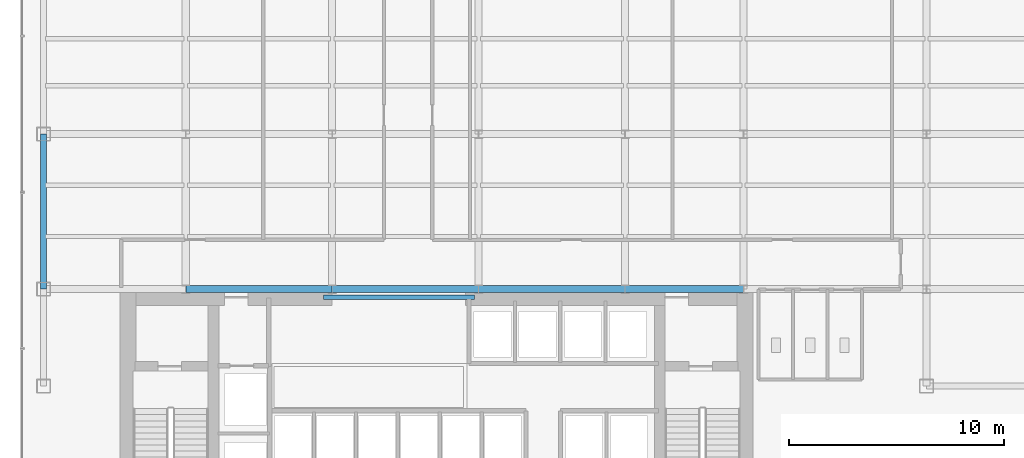
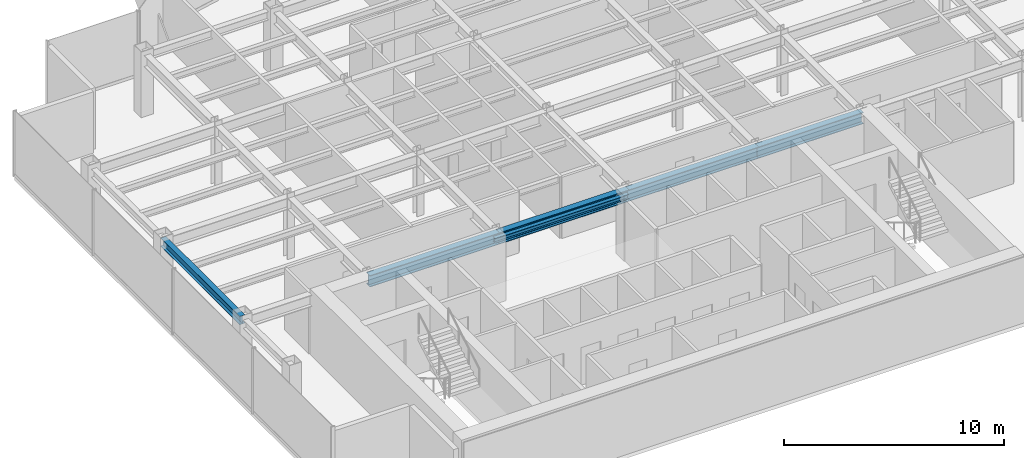
# One storey, part 4 of 25: 6 beams.
"""IFC4 building model written with IfcOpenShell, lengths in metres."""

from ifc_helpers import new_model, si_unit, derived_unit, direction, frame, origin, origin_2d, place, context, subcontext, project, spatial, i_section, extrude, source, transform, mapped, material, material_profile, profile_set, type_object, element, save


model = new_model("IFC4")

# Units and contexts
model_context = context("Model", 3, precision=1e-05, world=origin(), true_north=direction((0.0, 1.0)))
body_context = subcontext(model_context, "Body", "Model", "MODEL_VIEW")
ifc_project = project(units=[si_unit("LENGTHUNIT", "METRE"), si_unit("AREAUNIT", "SQUARE_METRE"), si_unit("VOLUMEUNIT", "CUBIC_METRE"), si_unit("PLANEANGLEUNIT", "RADIAN"), si_unit("MASSUNIT", "GRAM", prefix="KILO"), derived_unit("THERMALTRANSMITTANCEUNIT", [(si_unit("POWERUNIT", "WATT"), 1), (si_unit("LENGTHUNIT", "METRE"), -2), (si_unit("THERMODYNAMICTEMPERATUREUNIT", "KELVIN"), -1)])], contexts=[model_context])

# Site, building, storey
site_placement = place(None, origin())
site = spatial("IfcSite", under=ifc_project, at=site_placement, CompositionType="ELEMENT")
building_placement = place(site_placement, origin())
building = spatial("IfcBuilding", under=site, at=building_placement, Name="Skarnbrae Concourse Arena and Tower", CompositionType="ELEMENT")
storey_placement = place(building_placement, frame((0.0, 0.0, 158.85009765625)))
storey = spatial("IfcBuildingStorey", under=building, at=storey_placement, Name="L40", CompositionType="ELEMENT", Elevation=158.85009765625)

# Beams
ifc_material = material(Name="Steel CSA G40.21 350W", Category="steel")
ifc_material_profile_1 = material_profile(ifc_material, i_section(OverallWidth=0.202880859375, OverallDepth=0.251953125, WebThickness=0.008056640625, FlangeThickness=0.013427734375, at=origin_2d()), Name="W250X58")
ifc_profile_set_1 = profile_set([ifc_material_profile_1], Name="Steel CSA G40.21 350W")
beam_type_1 = type_object("IfcBeamType", Name="BM-LINTEL-W250X58", PredefinedType="LINTEL", material=ifc_profile_set_1)
shared_shape_1 = source(origin(), body_context, "Body", "SweptSolid", [
    extrude(i_section(OverallWidth=0.202880859375, OverallDepth=0.251953125, WebThickness=0.008056640625, FlangeThickness=0.013427734375, at=origin_2d()), origin(), (0.0, 0.0, 1.0), 7.0),
])
beam_1_placement = place(storey_placement, frame((14.0, 13.625, 3.27392578125), z_axis=(1.0, 0.0, 0.0), x_axis=(0.0, 1.0, 0.0)))
element("IfcBeam", 1, at=beam_1_placement, inside=storey, type_object=beam_type_1, Name="L40 Core portal coupling lintel", PredefinedType="LINTEL", context=body_context, shape_type="MappedRepresentation", body=[
    mapped(shared_shape_1, transform((0.0, 0.0, 0.0))),
])
ifc_material_profile_2 = material_profile(ifc_material, i_section(OverallWidth=0.3291015625, OverallDepth=0.635009765625, WebThickness=0.017822265625, FlangeThickness=0.031005859375, at=origin_2d()), Name="W610X241")
ifc_profile_set_2 = profile_set([ifc_material_profile_2], Name="Steel CSA G40.21 350W")
beam_type_2 = type_object("IfcBeamType", Name="BM-GIRD-W610X241", PredefinedType="BEAM", material=ifc_profile_set_2)
shared_shape_2 = source(origin(), body_context, "Body", "SweptSolid", [
    extrude(i_section(OverallWidth=0.3291015625, OverallDepth=0.635009765625, WebThickness=0.017822265625, FlangeThickness=0.031005859375, at=origin_2d()), origin(), (0.0, 0.0, 1.0), 6.7998046875),
])
beam_2_placement = place(storey_placement, frame((7.60009765625, 14.0, 3.08251953125), z_axis=(1.0, 0.0, 0.0), x_axis=(0.0, 1.0, 0.0)))
element("IfcBeam", 2, at=beam_2_placement, inside=storey, type_object=beam_type_2, Name="L40 Primary E-W girder Y14.0-2", PredefinedType="BEAM", context=body_context, shape_type="MappedRepresentation", body=[
    mapped(shared_shape_2, transform((0.0, 0.0, 0.0))),
])
shared_shape_3 = source(origin(), body_context, "Body", "SweptSolid", [
    extrude(i_section(OverallWidth=0.3291015625, OverallDepth=0.635009765625, WebThickness=0.017822265625, FlangeThickness=0.031005859375, at=origin_2d()), origin(), (0.0, 0.0, 1.0), 6.800048828125),
])
for number, where, z_axis, x_axis, name in (
    (3, (14.39990234375, 14.0, 3.08251953125), (1.0, 0.0, 0.0), (0.0, 1.0, 0.0), "L40 Primary E-W girder Y14.0-3"),
    (4, (21.199951171875, 14.0, 3.08251953125), (1.0, 0.0, 0.0), (0.0, 1.0, 0.0), "L40 Primary E-W girder Y14.0-4"),
):
    element("IfcBeam", number, at=place(storey_placement, frame(where, z_axis=z_axis, x_axis=x_axis)), inside=storey, type_object=beam_type_2, Name=name, PredefinedType="BEAM", context=body_context, shape_type="MappedRepresentation", body=[
        mapped(shared_shape_3, transform((0.0, 0.0, 0.0))),
    ])
shared_shape_4 = source(origin(), body_context, "Body", "SweptSolid", [
    extrude(i_section(OverallWidth=0.3291015625, OverallDepth=0.635009765625, WebThickness=0.017822265625, FlangeThickness=0.031005859375, at=origin_2d()), origin(), (0.0, 0.0, 1.0), 5.5),
])
beam_3_placement = place(storey_placement, frame((28.0, 14.0, 3.08251953125), z_axis=(1.0, 0.0, 0.0), x_axis=(0.0, 1.0, 0.0)))
element("IfcBeam", 5, at=beam_3_placement, inside=storey, type_object=beam_type_2, Name="L40 Primary E-W girder Y14.0-5", PredefinedType="BEAM", context=body_context, shape_type="MappedRepresentation", body=[
    mapped(shared_shape_4, transform((0.0, 0.0, 0.0))),
])
ifc_material_profile_3 = material_profile(ifc_material, i_section(OverallWidth=0.280029296875, OverallDepth=0.462890625, WebThickness=0.0107421875, FlangeThickness=0.017333984375, at=origin_2d()), Name="W460X113")
ifc_profile_set_3 = profile_set([ifc_material_profile_3], Name="Steel CSA G40.21 350W")
beam_type_3 = type_object("IfcBeamType", Name="BM-SPAN-W460X113", PredefinedType="SPANDREL", material=ifc_profile_set_3)
shared_shape_5 = source(origin(), body_context, "Body", "SweptSolid", [
    extrude(i_section(OverallWidth=0.280029296875, OverallDepth=0.462890625, WebThickness=0.0107421875, FlangeThickness=0.017333984375, at=origin_2d()), origin(), (0.0, 0.0, 1.0), 7.199951171875),
])
beam_4_placement = place(storey_placement, frame((1.0, 14.0, 3.16845703125), z_axis=(0.0, 1.0, 0.0), x_axis=(-1.0, 0.0, 0.0)))
element("IfcBeam", 6, at=beam_4_placement, inside=storey, type_object=beam_type_3, Name="L40 Perimeter spandrel X1.0-2", PredefinedType="SPANDREL", context=body_context, shape_type="MappedRepresentation", body=[
    mapped(shared_shape_5, transform((0.0, 0.0, 0.0))),
])

save(model, "model.ifc")
